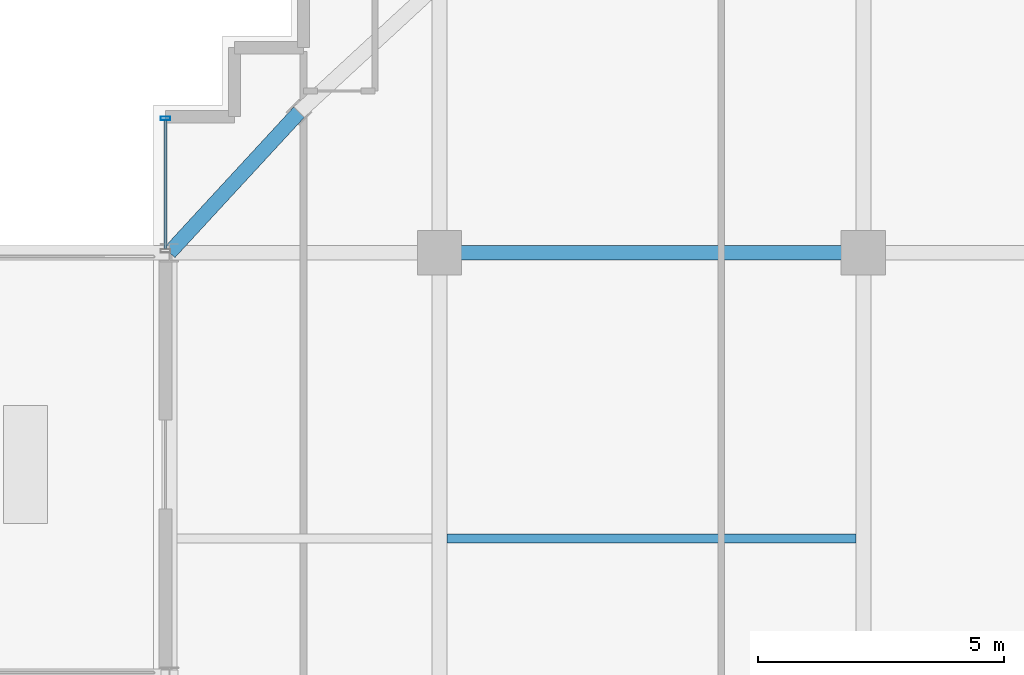
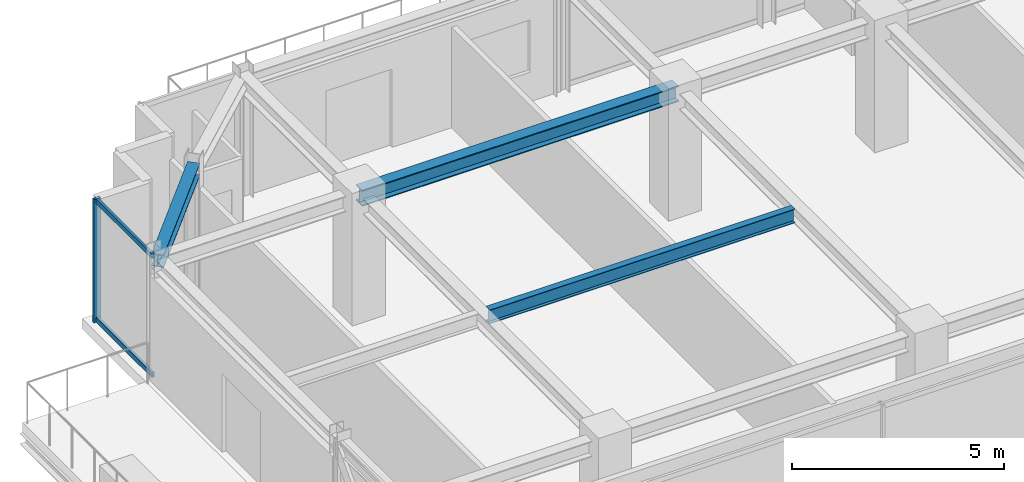
# One storey, part 25 of 40: 3 beams, 3 members, 1 element without a shape of its own.
"""IFC4 building model written with IfcOpenShell, lengths in metres."""

from ifc_helpers import new_model, si_unit, direction, frame, origin, origin_2d, place, context, subcontext, project, spatial, hollow_rectangle, i_section, extrude, source, transform, mapped, material, material_profile, profile_set, type_object, element, aggregate, save


model = new_model("IFC4")

# Units and contexts
model_context = context("Model", 3, precision=1e-05, world=origin(), true_north=direction((0.0, 1.0)))
body_context = subcontext(model_context, "Body", "Model", "MODEL_VIEW")
ifc_project = project(units=[si_unit("LENGTHUNIT", "METRE"), si_unit("AREAUNIT", "SQUARE_METRE"), si_unit("VOLUMEUNIT", "CUBIC_METRE"), si_unit("PLANEANGLEUNIT", "RADIAN"), si_unit("MASSUNIT", "GRAM", prefix="KILO")], contexts=[model_context])

# Site, building, storey
site_placement = place(None, origin())
site = spatial("IfcSite", under=ifc_project, at=site_placement, CompositionType="ELEMENT")
building_placement = place(site_placement, origin())
building = spatial("IfcBuilding", under=site, at=building_placement, Name="Nahalor Promenade Grand Hotel", CompositionType="ELEMENT")
storey_placement = place(building_placement, frame((0.0, 0.0, 288.800048828125)))
storey = spatial("IfcBuildingStorey", under=building, at=storey_placement, Name="L74", CompositionType="ELEMENT", Elevation=288.800048828125)

# Beams
ifc_material_1 = material(Name="Steel S355JR", Category="steel")
ifc_material_profile_1 = material_profile(ifc_material_1, i_section(OverallWidth=0.3, OverallDepth=0.45, WebThickness=0.014, FlangeThickness=0.026, at=origin_2d()), Name="HEB 450")
ifc_profile_set_1 = profile_set([ifc_material_profile_1], Name="Steel S355JR")
beam_type_1 = type_object("IfcBeamType", Name="Beam-Girder-HEB450", PredefinedType="BEAM", material=ifc_profile_set_1)
shared_shape_1 = source(origin(), body_context, "Body", "SweptSolid", [
    extrude(i_section(OverallWidth=0.3, OverallDepth=0.45, WebThickness=0.014, FlangeThickness=0.026, at=origin_2d()), origin(), (0.0, 0.0, 1.0), 8.60009765625),
])
beam_1_placement = place(storey_placement, frame((-17.0, 17.0, 3.324951171875), z_axis=(1.0, 0.0, 0.0), x_axis=(0.0, 1.0, 0.0)))
element("IfcBeam", 1, at=beam_1_placement, inside=storey, type_object=beam_type_1, Name="BM-L74-GX-3-1", PredefinedType="BEAM", context=body_context, shape_type="MappedRepresentation", body=[
    mapped(shared_shape_1, transform((0.0, 0.0, 0.0), scale=1.0)),
])
ifc_material_profile_2 = material_profile(ifc_material_1, i_section(OverallWidth=0.18, OverallDepth=0.4, WebThickness=0.0086, FlangeThickness=0.0135, at=origin_2d()), Name="IPE 400")
ifc_profile_set_2 = profile_set([ifc_material_profile_2], Name="Steel S355JR")
beam_type_2 = type_object("IfcBeamType", Name="Beam-Joist-IPE400", PredefinedType="JOIST", material=ifc_profile_set_2)
shared_shape_2 = source(origin(), body_context, "Body", "SweptSolid", [
    extrude(i_section(OverallWidth=0.18, OverallDepth=0.4, WebThickness=0.0086, FlangeThickness=0.0135, at=origin_2d()), origin(), (0.0, 0.0, 1.0), 8.300048828125),
])
beam_2_placement = place(storey_placement, frame((-16.85009765625, 11.199951171875, 3.349853515625), z_axis=(1.0, 0.0, 0.0), x_axis=(0.0, 1.0, 0.0)))
element("IfcBeam", 2, at=beam_2_placement, inside=storey, type_object=beam_type_2, Name="BM-L74-JSW-1-1", PredefinedType="JOIST", context=body_context, shape_type="MappedRepresentation", body=[
    mapped(shared_shape_2, transform((0.0, 0.0, 0.0), scale=1.0)),
])
ifc_material_profile_3 = material_profile(ifc_material_1, i_section(OverallWidth=0.3, OverallDepth=0.36, WebThickness=0.0125, FlangeThickness=0.0225, at=origin_2d()), Name="HEB 360")
ifc_profile_set_3 = profile_set([ifc_material_profile_3], Name="Steel S355JR")
beam_type_3 = type_object("IfcBeamType", Name="Beam-Spandrel-HEB360", PredefinedType="SPANDREL", material=ifc_profile_set_3)
shared_shape_3 = source(origin(), body_context, "Body", "SweptSolid", [
    extrude(i_section(OverallWidth=0.3, OverallDepth=0.36, WebThickness=0.0125, FlangeThickness=0.0225, at=origin_2d()), origin(), (0.0, 0.0, 1.0), 3.878173828125),
])
beam_3_placement = place(storey_placement, frame((-19.85009765625, 19.85009765625, 3.369873046875), z_axis=(-0.678144125843, -0.73492893846, 0.0), x_axis=(0.73492893846, -0.678144125843, 0.0)))
element("IfcBeam", 3, at=beam_3_placement, inside=storey, type_object=beam_type_3, Name="BM-L74-SPC-NW-2", PredefinedType="SPANDREL", context=body_context, shape_type="MappedRepresentation", body=[
    mapped(shared_shape_3, transform((0.0, 0.0, 0.0), scale=1.0)),
])

# Curtain wall, members
ifc_material_2 = material(Name="Anodised Bronze Aluminium EN AW-6063 T6", Category="aluminium")
curtain_wall_type = type_object("IfcCurtainWallType", Name="CW3 Elliptical-Void Collar Unitised Curtain Wall", PredefinedType="USERDEFINED", material=ifc_material_2)
curtain_wall_placement = place(storey_placement, origin())
curtain_wall = element("IfcCurtainWall", 4, at=curtain_wall_placement, inside=storey, type_object=curtain_wall_type, Name="L74 Curtain Wall CW-L74-W-4", ObjectType="UNITISED_CURTAIN_WALL", PredefinedType="USERDEFINED")
ifc_material_profile_4 = material_profile(ifc_material_2, hollow_rectangle(XDim=0.07, YDim=0.14, WallThickness=0.004, at=origin_2d()), Name="CWT 70x140x4")
ifc_profile_set_4 = profile_set([ifc_material_profile_4], Name="Anodised Bronze Aluminium EN AW-6063 T6")
member_type_1 = type_object("IfcMemberType", Name="CWT3 Void Collar Transom 70x140", PredefinedType="USERDEFINED", material=ifc_profile_set_4)
shared_shape_4 = source(origin(), body_context, "Body", "SweptSolid", [
    extrude(hollow_rectangle(XDim=0.07, YDim=0.14, WallThickness=0.004, at=origin_2d()), origin(), (0.0, 0.0, 1.0), 2.619873046875),
])
member_1_placement = place(storey_placement, frame((-22.56005859375, 17.070068359375, 0.070068359375), z_axis=(0.0, 1.0, 0.0), x_axis=(-1.0, 0.0, 0.0)))
member_1 = element("IfcMember", 5, at=member_1_placement, type_object=member_type_1, Name="CW-L74-W-4 Transom 0-0", ObjectType="TRANSOM", PredefinedType="USERDEFINED", context=body_context, shape_type="MappedRepresentation", body=[
    mapped(shared_shape_4, transform((0.0, 0.0, 0.0), scale=1.0)),
])
member_2_placement = place(storey_placement, frame((-22.56005859375, 17.070068359375, 3.47998046875), z_axis=(0.0, 1.0, 0.0), x_axis=(-1.0, 0.0, 0.0)))
member_2 = element("IfcMember", 6, at=member_2_placement, type_object=member_type_1, Name="CW-L74-W-4 Transom 0-1", ObjectType="TRANSOM", PredefinedType="USERDEFINED", context=body_context, shape_type="MappedRepresentation", body=[
    mapped(shared_shape_4, transform((0.0, 0.0, 0.0), scale=1.0)),
])
ifc_material_profile_5 = material_profile(ifc_material_2, hollow_rectangle(XDim=0.07, YDim=0.2, WallThickness=0.005, at=origin_2d()), Name="CWM 70x200x5")
ifc_profile_set_5 = profile_set([ifc_material_profile_5], Name="Anodised Bronze Aluminium EN AW-6063 T6")
member_type_2 = type_object("IfcMemberType", Name="CWM3 Void Collar Mullion 70x200", PredefinedType="MULLION", material=ifc_profile_set_5)
shared_shape_5 = source(origin(), body_context, "Body", "SweptSolid", [
    extrude(hollow_rectangle(XDim=0.07, YDim=0.2, WallThickness=0.005, at=origin_2d()), origin(), (0.0, 0.0, 1.0), 3.550048828125),
])
member_3_placement = place(storey_placement, frame((-22.56005859375, 19.72509765625, 0.0), z_axis=(0.0, 0.0, 1.0), x_axis=(0.0, 1.0, 0.0)))
member_3 = element("IfcMember", 7, at=member_3_placement, type_object=member_type_2, Name="CW-L74-W-4 Mullion 1", PredefinedType="MULLION", context=body_context, shape_type="MappedRepresentation", body=[
    mapped(shared_shape_5, transform((0.0, 0.0, 0.0), scale=1.0)),
])
aggregate(curtain_wall, [member_3, member_1, member_2])

save(model, "model.ifc")
